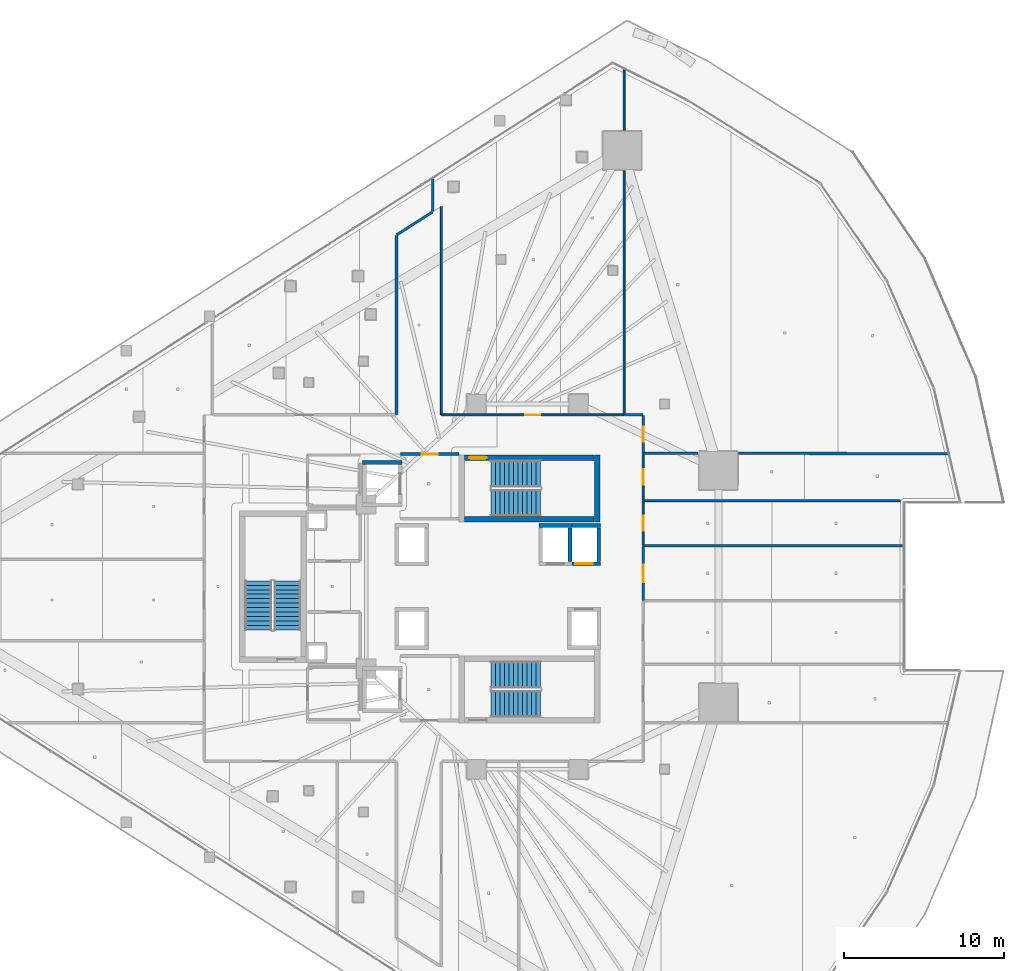
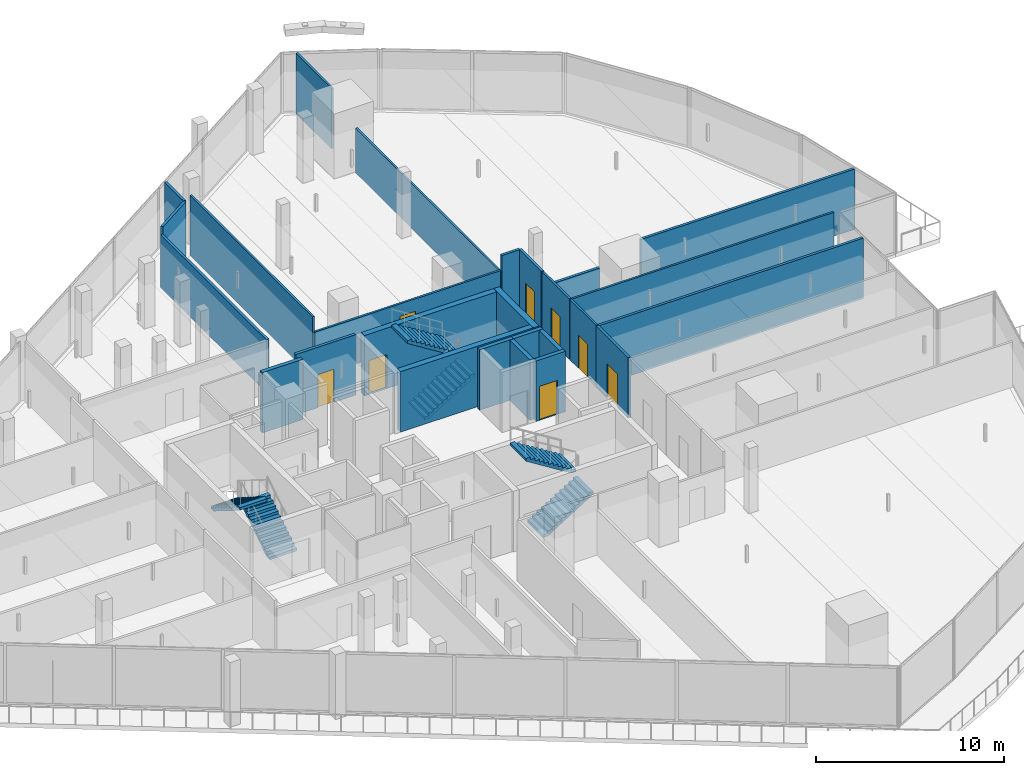
# One storey, part 30 of 44: 26 walls, 8 doors, 6 stair flights, 8 openings, 3 elements without a shape of their own.
"""IFC4 building model written with IfcOpenShell, lengths in metres."""

from ifc_helpers import new_model, si_unit, direction, frame, frame_2d, origin, place, context, subcontext, project, spatial, polyline, rectangle, outline, extrude, material, layer, layer_set, type_object, element, fill, aggregate, save


model = new_model("IFC4")

# Units and contexts
model_context = context("Model", 3, precision=1e-05, world=origin(), true_north=direction((0.0, 1.0)))
body_context = subcontext(model_context, "Body", "Model", "MODEL_VIEW")
ifc_project = project(units=[si_unit("LENGTHUNIT", "METRE"), si_unit("AREAUNIT", "SQUARE_METRE"), si_unit("VOLUMEUNIT", "CUBIC_METRE"), si_unit("PLANEANGLEUNIT", "RADIAN"), si_unit("MASSUNIT", "GRAM", prefix="KILO")], contexts=[model_context])

# Site, building, storey
site_placement = place(None, origin())
site = spatial("IfcSite", under=ifc_project, at=site_placement, CompositionType="ELEMENT")
building_placement = place(site_placement, origin())
building = spatial("IfcBuilding", under=site, at=building_placement, Name="Qorvath Tower", CompositionType="ELEMENT")
storey_placement = place(building_placement, frame((0.0, 0.0, 57.60009765625)))
storey = spatial("IfcBuildingStorey", under=building, at=storey_placement, Name="L12", CompositionType="ELEMENT", Elevation=57.60009765625)

# Wall, opening, door
ifc_material_1 = material(Name="Gypsum shaftliner on steel studs", Category="steel")
ifc_layer_1 = layer(ifc_material_1, 0.179931640625)
ifc_layer_set_1 = layer_set([ifc_layer_1], Name="FW-LOBBY")
wall_type_1 = type_object("IfcWallType", Name="FW-LOBBY", PredefinedType="PARTITIONING", material=ifc_layer_set_1)
wall_1_placement = place(storey_placement, frame((-24.68408203125, 8.300048828125, 0.0), z_axis=(0.0, 0.0, 1.0), x_axis=(-1.0, 0.0, 0.0)))
wall_1 = element("IfcWall", 1, at=wall_1_placement, inside=storey, type_object=wall_type_1, Name="Interior Partition IW-T1-L12-002", PredefinedType="PARTITIONING", context=body_context, shape_type="SweptSolid", body=[
    extrude(rectangle(XDim=3.6708984375, YDim=0.179931640625, at=frame_2d((1.83544921875, 0.0))), origin(), (0.0, 0.0, 1.0), 3.919921875),
])
opening_1_placement = place(wall_1_placement, frame((1.33544921875, 0.0, 0.0)))
opening_1 = element("IfcOpeningElement", 2, at=opening_1_placement, cuts=wall_1, Name="Opening D-T1-L12-19", PredefinedType="OPENING", context=body_context, shape_type="SweptSolid", body=[
    extrude(rectangle(XDim=1.0, YDim=2.14990234375, at=frame_2d((0.5, 1.074951171875))), frame((0.0, 0.10009765625, 0.0), z_axis=(0.0, -1.0, 0.0), x_axis=(1.0, 0.0, 0.0)), (0.0, 0.0, 1.0), 0.199951171875),
])
ifc_material_2 = material(Name="Painted galvanised hollow metal", Category="steel")
door_type_1 = type_object("IfcDoorType", Name="FD-60", OperationType="NOTDEFINED", PredefinedType="DOOR", material=ifc_material_2)
door_1_placement = place(opening_1_placement, origin())
door_1 = element("IfcDoor", 3, at=door_1_placement, inside=storey, type_object=door_type_1, Name="Lobby Fire Service Elevator North Door D-T1-L12-19", OperationType="SINGLE_SWING_LEFT", OverallHeight=2.14990234375, OverallWidth=1.0, PredefinedType="DOOR", context=body_context, shape_type="SweptSolid", body=[
    extrude(rectangle(XDim=1.0, YDim=2.14990234375, at=frame_2d((0.5, 1.074951171875))), frame((0.0, 0.02490234375, 0.0), z_axis=(0.0, -1.0, 0.0), x_axis=(1.0, 0.0, 0.0)), (0.0, 0.0, 1.0), 0.050048828125),
])
fill(opening_1, door_1)

# Walls
ifc_material_3 = material(Name="Double acoustic gypsum board on steel studs", Category="steel")
ifc_layer_2 = layer(ifc_material_3, 0.159912109375)
ifc_layer_set_2 = layer_set([ifc_layer_2], Name="IW-ACOUSTIC-160")
wall_type_2 = type_object("IfcWallType", Name="IW-ACOUSTIC-160", PredefinedType="PARTITIONING", material=ifc_layer_set_2)
wall_2_placement = place(storey_placement, frame((-28.60791015625, 10.783203125, 0.0), z_axis=(0.0, 0.0, 1.0), x_axis=(0.0, 1.0, 0.0)))
element("IfcWall", 4, at=wall_2_placement, inside=storey, type_object=wall_type_2, Name="Interior Partition IW-T1-L12-023", PredefinedType="PARTITIONING", context=body_context, shape_type="SweptSolid", body=[
    extrude(rectangle(XDim=11.23095703125, YDim=0.159912109375, at=frame_2d((5.615478515625, 0.0))), origin(), (0.0, 0.0, 1.0), 3.432861328125),
])
wall_3_placement = place(storey_placement, frame((-26.360595703125, 23.475341796875, 0.0), z_axis=(0.0, 0.0, 1.0), x_axis=(-0.842613569098, -0.538518684143, 0.0)))
element("IfcWall", 5, at=wall_3_placement, inside=storey, type_object=wall_type_2, Name="Interior Partition IW-T1-L12-024", PredefinedType="PARTITIONING", context=body_context, shape_type="SweptSolid", body=[
    extrude(rectangle(XDim=2.64208984375, YDim=0.159912109375, at=frame_2d((1.321044921875, 0.0))), origin(), (0.0, 0.0, 1.0), 3.919921875),
])
wall_4_placement = place(storey_placement, frame((-26.339599609375, 23.513916015625, 0.0), z_axis=(0.0, 0.0, 1.0), x_axis=(0.0, 1.0, 0.0)))
element("IfcWall", 6, at=wall_4_placement, inside=storey, type_object=wall_type_2, Name="Interior Partition IW-T1-L12-025", PredefinedType="PARTITIONING", context=body_context, shape_type="SweptSolid", body=[
    extrude(rectangle(XDim=2.021728515625, YDim=0.159912109375, at=frame_2d((1.0107421875, 0.0))), origin(), (0.0, 0.0, 1.0), 3.919921875),
])
wall_5_placement = place(storey_placement, frame((-14.305419921875, 10.758056640625, 0.0), z_axis=(0.0, 0.0, 1.0), x_axis=(1.0, 0.0, 0.0)))
element("IfcWall", 7, at=wall_5_placement, inside=storey, type_object=wall_type_2, Name="Interior Partition IW-T1-L12-030", PredefinedType="PARTITIONING", context=body_context, shape_type="SweptSolid", body=[
    extrude(rectangle(XDim=1.138427734375, YDim=0.159912109375, at=frame_2d((0.5693359375, 0.0))), origin(), (0.0, 0.0, 1.0), 3.919921875),
])

# Wall, opening, door
wall_6_placement = place(storey_placement, frame((-13.14208984375, 10.733154296875, 0.0), z_axis=(0.0, 0.0, 1.0), x_axis=(0.0, -1.0, 0.0)))
wall_6 = element("IfcWall", 8, at=wall_6_placement, inside=storey, type_object=wall_type_2, Name="Interior Partition IW-T1-L12-031", PredefinedType="PARTITIONING", context=body_context, shape_type="SweptSolid", body=[
    extrude(rectangle(XDim=2.358154296875, YDim=0.159912109375, at=frame_2d((1.17919921875, 0.0))), origin(), (0.0, 0.0, 1.0), 3.919921875),
])
opening_2_placement = place(wall_6_placement, frame((0.7041015625, 0.0, 0.0)))
opening_2 = element("IfcOpeningElement", 9, at=opening_2_placement, cuts=wall_6, Name="Opening D-T1-L12-07", PredefinedType="OPENING", context=body_context, shape_type="SweptSolid", body=[
    extrude(rectangle(XDim=0.949951171875, YDim=2.14990234375, at=frame_2d((0.47509765625, 1.074951171875))), frame((0.0, 0.08984375, 0.0), z_axis=(0.0, -1.0, 0.0), x_axis=(1.0, 0.0, 0.0)), (0.0, 0.0, 1.0), 0.179931640625),
])
ifc_material_4 = material(Name="Solid-core American white oak veneer", Category="wood")
door_type_2 = type_object("IfcDoorType", Name="D-01", OperationType="NOTDEFINED", PredefinedType="DOOR", material=ifc_material_4)
door_2_placement = place(opening_2_placement, origin())
door_2 = element("IfcDoor", 10, at=door_2_placement, inside=storey, type_object=door_type_2, Name="L12-04 Staff Wellness Studio Door D-T1-L12-07", OperationType="SINGLE_SWING_LEFT", OverallHeight=2.14990234375, OverallWidth=0.949951171875, PredefinedType="DOOR", context=body_context, shape_type="SweptSolid", body=[
    extrude(rectangle(XDim=0.949951171875, YDim=2.14990234375, at=frame_2d((0.47509765625, 1.074951171875))), frame((0.0, 0.02490234375, 0.0), z_axis=(0.0, -1.0, 0.0), x_axis=(1.0, 0.0, 0.0)), (0.0, 0.0, 1.0), 0.050048828125),
])
fill(opening_2, door_2)

# Walls
wall_7_placement = place(storey_placement, frame((-13.1171875, 8.35009765625, 0.0), z_axis=(0.0, 0.0, 1.0), x_axis=(1.0, 0.0, 0.0)))
element("IfcWall", 11, at=wall_7_placement, inside=storey, type_object=wall_type_2, Name="Interior Partition IW-T1-L12-032", PredefinedType="PARTITIONING", context=body_context, shape_type="SweptSolid", body=[
    extrude(rectangle(XDim=3.421875, YDim=0.159912109375, at=frame_2d((1.7109375, 0.0))), origin(), (0.0, 0.0, 1.0), 2.956787109375),
])
wall_8_placement = place(storey_placement, frame((-7.165283203125, 8.35009765625, 0.0), z_axis=(0.0, 0.0, 1.0), x_axis=(0.999999076287, -0.001359200353, 0.0)))
element("IfcWall", 12, at=wall_8_placement, inside=storey, type_object=wall_type_2, Name="Interior Partition IW-T1-L12-033", PredefinedType="PARTITIONING", context=body_context, shape_type="SweptSolid", body=[
    extrude(rectangle(XDim=13.1123046875, YDim=0.159912109375, at=frame_2d((6.55615234375, 0.0))), origin(), (0.0, 0.0, 1.0), 3.919921875),
])

# Wall, opening, door
wall_9_placement = place(storey_placement, frame((-13.14208984375, 2.532470703125, 0.0), z_axis=(0.0, 0.0, 1.0), x_axis=(0.0, -1.0, 0.0)))
wall_9 = element("IfcWall", 13, at=wall_9_placement, inside=storey, type_object=wall_type_2, Name="Interior Partition IW-T1-L12-053", PredefinedType="PARTITIONING", context=body_context, shape_type="SweptSolid", body=[
    extrude(rectangle(XDim=3.399658203125, YDim=0.159912109375, at=frame_2d((1.69970703125, 0.0))), origin(), (0.0, 0.0, 1.0), 3.919921875),
])
opening_3_placement = place(wall_9_placement, frame((1.14990234375, 0.0, 0.0)))
opening_3 = element("IfcOpeningElement", 14, at=opening_3_placement, cuts=wall_9, Name="Opening D-T1-L12-13", PredefinedType="OPENING", context=body_context, shape_type="SweptSolid", body=[
    extrude(rectangle(XDim=1.10009765625, YDim=2.14990234375, at=frame_2d((0.550048828125, 1.074951171875))), frame((0.0, 0.08984375, 0.0), z_axis=(0.0, -1.0, 0.0), x_axis=(1.0, 0.0, 0.0)), (0.0, 0.0, 1.0), 0.179931640625),
])
ifc_material_5 = material(Name="Anodised aluminium acoustic framed glass", Category="aluminium")
door_type_3 = type_object("IfcDoorType", Name="D-03", OperationType="NOTDEFINED", PredefinedType="DOOR", material=ifc_material_5)
door_3_placement = place(opening_3_placement, origin())
door_3 = element("IfcDoor", 15, at=door_3_placement, inside=storey, type_object=door_type_3, Name="L12-10 Enclosed Conference Suite Door D-T1-L12-13", OperationType="SINGLE_SWING_LEFT", OverallHeight=2.14990234375, OverallWidth=1.10009765625, PredefinedType="DOOR", context=body_context, shape_type="SweptSolid", body=[
    extrude(rectangle(XDim=1.10009765625, YDim=2.14990234375, at=frame_2d((0.550048828125, 1.074951171875))), frame((0.0, 0.02490234375, 0.0), z_axis=(0.0, -1.0, 0.0), x_axis=(1.0, 0.0, 0.0)), (0.0, 0.0, 1.0), 0.050048828125),
])
fill(opening_3, door_3)

# Walls
wall_10_placement = place(storey_placement, frame((3.139404296875, 2.557373046875, 0.0), z_axis=(0.0, 0.0, 1.0), x_axis=(-1.0, 0.0, 0.0)))
element("IfcWall", 16, at=wall_10_placement, inside=storey, type_object=wall_type_2, Name="Interior Partition IW-T1-L12-054", PredefinedType="PARTITIONING", context=body_context, shape_type="SweptSolid", body=[
    extrude(rectangle(XDim=16.256591796875, YDim=0.159912109375, at=frame_2d((8.12841796875, 0.0))), origin(), (0.0, 0.0, 1.0), 3.919921875),
])
ifc_material_6 = material(Name="Gypsum board on metal studs with mineral wool", Category="gypsum")
ifc_layer_3 = layer(ifc_material_6, 0.125)
ifc_layer_set_3 = layer_set([ifc_layer_3], Name="IW-PART-125")
wall_type_3 = type_object("IfcWallType", Name="IW-PART-125", PredefinedType="PARTITIONING", material=ifc_layer_set_3)
wall_11_placement = place(storey_placement, frame((-25.7919921875, 23.81396484375, 0.0), z_axis=(0.0, 0.0, 1.0), x_axis=(0.0, -1.0, 0.0)))
element("IfcWall", 17, at=wall_11_placement, inside=storey, type_object=wall_type_3, Name="Interior Partition IW-T1-L12-026", PredefinedType="PARTITIONING", context=body_context, shape_type="SweptSolid", body=[
    extrude(rectangle(XDim=13.03076171875, YDim=0.125, at=frame_2d((6.515380859375, 0.0))), origin(), (0.0, 0.0, 1.0), 3.919921875),
])

# Wall, opening, door
wall_12_placement = place(storey_placement, frame((-25.76708984375, 10.758056640625, 0.0), z_axis=(0.0, 0.0, 1.0), x_axis=(1.0, 0.0, 0.0)))
wall_12 = element("IfcWall", 18, at=wall_12_placement, inside=storey, type_object=wall_type_3, Name="Interior Partition IW-T1-L12-027", PredefinedType="PARTITIONING", context=body_context, shape_type="SweptSolid", body=[
    extrude(rectangle(XDim=11.404052734375, YDim=0.125, at=frame_2d((5.7021484375, 0.0))), origin(), (0.0, 0.0, 1.0), 2.956787109375),
])
opening_4_placement = place(wall_12_placement, frame((5.22705078125, 0.0, 0.0)))
opening_4 = element("IfcOpeningElement", 19, at=opening_4_placement, cuts=wall_12, Name="Opening D-T1-L12-06", PredefinedType="OPENING", context=body_context, shape_type="SweptSolid", body=[
    extrude(rectangle(XDim=0.949951171875, YDim=2.14990234375, at=frame_2d((0.47509765625, 1.074951171875))), frame((0.0, 0.072509765625, 0.0), z_axis=(0.0, -1.0, 0.0), x_axis=(1.0, 0.0, 0.0)), (0.0, 0.0, 1.0), 0.14501953125),
])
door_4_placement = place(opening_4_placement, origin())
door_4 = element("IfcDoor", 20, at=door_4_placement, inside=storey, type_object=door_type_2, Name="L12-03 Project Collaboration Workspace Door D-T1-L12-06", OperationType="SINGLE_SWING_RIGHT", OverallHeight=2.14990234375, OverallWidth=0.949951171875, PredefinedType="DOOR", context=body_context, shape_type="SweptSolid", body=[
    extrude(rectangle(XDim=0.949951171875, YDim=2.14990234375, at=frame_2d((0.47509765625, 1.074951171875))), frame((0.0, 0.02490234375, 0.0), z_axis=(0.0, -1.0, 0.0), x_axis=(1.0, 0.0, 0.0)), (0.0, 0.0, 1.0), 0.050048828125),
])
fill(opening_4, door_4)

# Walls
wall_13_placement = place(storey_placement, frame((-14.338134765625, 10.783203125, 0.0), z_axis=(0.0, 0.0, 1.0), x_axis=(0.0, 1.0, 0.0)))
element("IfcWall", 21, at=wall_13_placement, inside=storey, type_object=wall_type_3, Name="Interior Partition IW-T1-L12-028", PredefinedType="PARTITIONING", context=body_context, shape_type="SweptSolid", body=[
    extrude(rectangle(XDim=15.282470703125, YDim=0.125, at=frame_2d((7.64111328125, 0.0))), origin(), (0.0, 0.0, 1.0), 2.889892578125),
])
wall_14_placement = place(storey_placement, frame((-14.338134765625, 28.595703125, 0.0), z_axis=(0.0, 0.0, 1.0), x_axis=(0.0, 1.0, 0.0)))
element("IfcWall", 22, at=wall_14_placement, inside=storey, type_object=wall_type_3, Name="Interior Partition IW-T1-L12-029", PredefinedType="PARTITIONING", context=body_context, shape_type="SweptSolid", body=[
    extrude(rectangle(XDim=3.790283203125, YDim=0.125, at=frame_2d((1.89501953125, 0.0))), origin(), (0.0, 0.0, 1.0), 3.919921875),
])

# Wall, opening, door
wall_15_placement = place(storey_placement, frame((-13.14208984375, 5.36279296875, 0.0), z_axis=(0.0, 0.0, 1.0), x_axis=(0.0, -1.0, 0.0)))
wall_15 = element("IfcWall", 23, at=wall_15_placement, inside=storey, type_object=wall_type_3, Name="Interior Partition IW-T1-L12-055", PredefinedType="PARTITIONING", context=body_context, shape_type="SweptSolid", body=[
    extrude(rectangle(XDim=2.7724609375, YDim=0.125, at=frame_2d((1.38623046875, 0.0))), origin(), (0.0, 0.0, 1.0), 3.919921875),
])
opening_5_placement = place(wall_15_placement, frame((0.9111328125, 0.0, 0.0)))
opening_5 = element("IfcOpeningElement", 24, at=opening_5_placement, cuts=wall_15, Name="Opening D-T1-L12-14", PredefinedType="OPENING", context=body_context, shape_type="SweptSolid", body=[
    extrude(rectangle(XDim=0.949951171875, YDim=2.14990234375, at=frame_2d((0.47509765625, 1.074951171875))), frame((0.0, 0.072509765625, 0.0), z_axis=(0.0, -1.0, 0.0), x_axis=(1.0, 0.0, 0.0)), (0.0, 0.0, 1.0), 0.14501953125),
])
door_5_placement = place(opening_5_placement, origin())
door_5 = element("IfcDoor", 25, at=door_5_placement, inside=storey, type_object=door_type_2, Name="L12-11 Focus Collaboration Pod Door D-T1-L12-14", OperationType="SINGLE_SWING_RIGHT", OverallHeight=2.14990234375, OverallWidth=0.949951171875, PredefinedType="DOOR", context=body_context, shape_type="SweptSolid", body=[
    extrude(rectangle(XDim=0.949951171875, YDim=2.14990234375, at=frame_2d((0.47509765625, 1.074951171875))), frame((0.0, 0.02490234375, 0.0), z_axis=(0.0, -1.0, 0.0), x_axis=(1.0, 0.0, 0.0)), (0.0, 0.0, 1.0), 0.050048828125),
])
fill(opening_5, door_5)

# Wall
wall_16_placement = place(storey_placement, frame((2.973388671875, 5.3876953125, 0.0), z_axis=(0.0, 0.0, 1.0), x_axis=(-1.0, 0.0, 0.0)))
element("IfcWall", 26, at=wall_16_placement, inside=storey, type_object=wall_type_3, Name="Interior Partition IW-T1-L12-056", PredefinedType="PARTITIONING", context=body_context, shape_type="SweptSolid", body=[
    extrude(rectangle(XDim=16.090576171875, YDim=0.125, at=frame_2d((8.04541015625, 0.0))), origin(), (0.0, 0.0, 1.0), 3.919921875),
])

# Wall, opening, door
wall_17_placement = place(storey_placement, frame((-13.14208984375, 8.31689453125, 0.0), z_axis=(0.0, 0.0, 1.0), x_axis=(0.0, -1.0, 0.0)))
wall_17 = element("IfcWall", 27, at=wall_17_placement, inside=storey, type_object=wall_type_3, Name="Interior Partition IW-T1-L12-057", PredefinedType="PARTITIONING", context=body_context, shape_type="SweptSolid", body=[
    extrude(rectangle(XDim=2.89599609375, YDim=0.125, at=frame_2d((1.447998046875, 0.0))), origin(), (0.0, 0.0, 1.0), 3.919921875),
])
opening_6_placement = place(wall_17_placement, frame((0.972900390625, 0.0, 0.0)))
opening_6 = element("IfcOpeningElement", 28, at=opening_6_placement, cuts=wall_17, Name="Opening D-T1-L12-15", PredefinedType="OPENING", context=body_context, shape_type="SweptSolid", body=[
    extrude(rectangle(XDim=0.949951171875, YDim=2.14990234375, at=frame_2d((0.47509765625, 1.074951171875))), frame((0.0, 0.072509765625, 0.0), z_axis=(0.0, -1.0, 0.0), x_axis=(1.0, 0.0, 0.0)), (0.0, 0.0, 1.0), 0.14501953125),
])
door_6_placement = place(opening_6_placement, origin())
door_6 = element("IfcDoor", 29, at=door_6_placement, inside=storey, type_object=door_type_2, Name="L12-12 Staff Refreshment Pantry and Coffee Bar Door D-T1-L12-15", OperationType="SINGLE_SWING_LEFT", OverallHeight=2.14990234375, OverallWidth=0.949951171875, PredefinedType="DOOR", context=body_context, shape_type="SweptSolid", body=[
    extrude(rectangle(XDim=0.949951171875, YDim=2.14990234375, at=frame_2d((0.47509765625, 1.074951171875))), frame((0.0, 0.02490234375, 0.0), z_axis=(0.0, -1.0, 0.0), x_axis=(1.0, 0.0, 0.0)), (0.0, 0.0, 1.0), 0.050048828125),
])
fill(opening_6, door_6)

# Walls
ifc_material_7 = material(Name="Concrete C60/75", Category="concrete")
ifc_layer_4 = layer(ifc_material_7, 0.260009765625)
ifc_layer_set_4 = layer_set([ifc_layer_4], Name="SW-SHAFT")
wall_type_4 = type_object("IfcWallType", Name="SW-SHAFT", PredefinedType="SHEAR", material=ifc_layer_set_4)
wall_18_placement = place(storey_placement, frame((-30.739990234375, 7.77001953125, 0.0), z_axis=(0.0, 0.0, 1.0), x_axis=(1.0, 0.0, 0.0)))
element("IfcWall", 30, at=wall_18_placement, inside=storey, type_object=wall_type_4, Name="Hoistway Wall FSAE-1 L12 N", PredefinedType="SHEAR", context=body_context, shape_type="SweptSolid", body=[
    extrude(rectangle(XDim=2.47998046875, YDim=0.239990234375, at=frame_2d((1.239990234375, 0.0))), origin(), (0.0, 0.0, 1.0), 3.919921875),
])
wall_19_placement = place(storey_placement, frame((-19.68994140625, 3.820068359375, 0.0), z_axis=(0.0, 0.0, 1.0), x_axis=(1.0, 0.0, 0.0)))
element("IfcWall", 31, at=wall_19_placement, inside=storey, type_object=wall_type_4, Name="Hoistway Wall PL-1 L12 N", PredefinedType="SHEAR", context=body_context, shape_type="SweptSolid", body=[
    extrude(rectangle(XDim=2.079833984375, YDim=0.239990234375, at=frame_2d((1.0400390625, 0.0))), origin(), (0.0, 0.0, 1.0), 3.919921875),
])
wall_20_placement = place(storey_placement, frame((-17.72998046875, 3.68798828125, 0.0), z_axis=(0.0, 0.0, 1.0), x_axis=(0.0, -1.0, 0.0)))
element("IfcWall", 32, at=wall_20_placement, inside=storey, type_object=wall_type_4, Name="Hoistway Wall PL-1 L12 E", PredefinedType="SHEAR", context=body_context, shape_type="SweptSolid", body=[
    extrude(rectangle(XDim=2.1259765625, YDim=0.239990234375, at=frame_2d((1.06298828125, 0.0))), origin(), (0.0, 0.0, 1.0), 3.919921875),
])

# Wall, opening, door
wall_21_placement = place(storey_placement, frame((-15.81005859375, 1.429931640625, 0.0), z_axis=(0.0, 0.0, 1.0), x_axis=(-1.0, 0.0, 0.0)))
wall_21 = element("IfcWall", 33, at=wall_21_placement, inside=storey, type_object=wall_type_4, Name="Hoistway Wall PL-3 L12 S", PredefinedType="SHEAR", context=body_context, shape_type="SweptSolid", body=[
    extrude(rectangle(XDim=1.800048828125, YDim=0.239990234375, at=frame_2d((0.89990234375, 0.0))), origin(), (0.0, 0.0, 1.0), 3.919921875),
])
opening_7_placement = place(wall_21_placement, frame((0.489990234375, 0.0, 0.0)))
opening_7 = element("IfcOpeningElement", 34, at=opening_7_placement, cuts=wall_21, Name="Opening LD-PL-3-L12", PredefinedType="OPENING", context=body_context, shape_type="SweptSolid", body=[
    extrude(rectangle(XDim=1.10009765625, YDim=2.199951171875, at=frame_2d((0.550048828125, 1.10009765625))), frame((0.0, 0.1298828125, 0.0), z_axis=(0.0, -1.0, 0.0), x_axis=(1.0, 0.0, 0.0)), (0.0, 0.0, 1.0), 0.260009765625),
])
ifc_material_8 = material(Name="Brushed stainless steel AISI 316", Category="steel")
door_type_4 = type_object("IfcDoorType", Name="LD-01", OperationType="NOTDEFINED", PredefinedType="DOOR", material=ifc_material_8)
door_7_placement = place(opening_7_placement, origin())
door_7 = element("IfcDoor", 35, at=door_7_placement, inside=storey, type_object=door_type_4, Name="Elevator Landing Sliding Door LD-PL-3-L12", OperationType="DOUBLE_DOOR_SLIDING", OverallHeight=2.199951171875, OverallWidth=1.10009765625, PredefinedType="DOOR", context=body_context, shape_type="SweptSolid", body=[
    extrude(rectangle(XDim=1.10009765625, YDim=2.199951171875, at=frame_2d((0.550048828125, 1.10009765625))), frame((0.0, 0.02490234375, 0.0), z_axis=(0.0, -1.0, 0.0), x_axis=(1.0, 0.0, 0.0)), (0.0, 0.0, 1.0), 0.050048828125),
])
fill(opening_7, door_7)

# Walls
wall_22_placement = place(storey_placement, frame((-17.610107421875, 3.820068359375, 0.0), z_axis=(0.0, 0.0, 1.0), x_axis=(1.0, 0.0, 0.0)))
element("IfcWall", 36, at=wall_22_placement, inside=storey, type_object=wall_type_4, Name="Hoistway Wall PL-3 L12 N", PredefinedType="SHEAR", context=body_context, shape_type="SweptSolid", body=[
    extrude(rectangle(XDim=1.800048828125, YDim=0.239990234375, at=frame_2d((0.89990234375, 0.0))), origin(), (0.0, 0.0, 1.0), 3.919921875),
])
wall_23_placement = place(storey_placement, frame((-15.929931640625, 3.68798828125, 0.0), z_axis=(0.0, 0.0, 1.0), x_axis=(0.0, -1.0, 0.0)))
element("IfcWall", 37, at=wall_23_placement, inside=storey, type_object=wall_type_4, Name="Hoistway Wall PL-3 L12 E", PredefinedType="SHEAR", context=body_context, shape_type="SweptSolid", body=[
    extrude(rectangle(XDim=2.1259765625, YDim=0.239990234375, at=frame_2d((1.06298828125, 0.0))), origin(), (0.0, 0.0, 1.0), 3.919921875),
])
ifc_material_9 = material(Name="Concrete C60/75", Category="concrete")
ifc_layer_5 = layer(ifc_material_9, 0.35009765625)
ifc_layer_set_5 = layer_set([ifc_layer_5], Name="SW-STAIR")
wall_type_5 = type_object("IfcWallType", Name="SW-STAIR", PredefinedType="SHEAR", material=ifc_layer_set_5)
wall_24_placement = place(storey_placement, frame((-16.02490234375, 4.050048828125, 0.0), z_axis=(0.0, 0.0, 1.0), x_axis=(0.0, 1.0, 0.0)))
element("IfcWall", 38, at=wall_24_placement, inside=storey, type_object=wall_type_5, Name="Stair TS1 Shear Wall L12 FAR", PredefinedType="SHEAR", context=body_context, shape_type="SweptSolid", body=[
    extrude(rectangle(XDim=4.2099609375, YDim=0.35009765625, at=frame_2d((2.10498046875, 0.0))), origin(), (0.0, 0.0, 1.0), 3.919921875),
])
wall_25_placement = place(storey_placement, frame((-24.3349609375, 4.22509765625, 0.0), z_axis=(0.0, 0.0, 1.0), x_axis=(1.0, 0.0, 0.0)))
element("IfcWall", 39, at=wall_25_placement, inside=storey, type_object=wall_type_5, Name="Stair TS1 Shear Wall L12 LEFT", PredefinedType="SHEAR", context=body_context, shape_type="SweptSolid", body=[
    extrude(rectangle(XDim=8.119873046875, YDim=0.35009765625, at=frame_2d((4.06005859375, 0.0))), origin(), (0.0, 0.0, 1.0), 3.919921875),
])

# Wall, opening, door
wall_26_placement = place(storey_placement, frame((-16.215087890625, 8.0849609375, 0.0), z_axis=(0.0, 0.0, 1.0), x_axis=(-1.0, 0.0, 0.0)))
wall_26 = element("IfcWall", 40, at=wall_26_placement, inside=storey, type_object=wall_type_5, Name="Stair TS1 Shear Wall L12 RIGHT", PredefinedType="SHEAR", context=body_context, shape_type="SweptSolid", body=[
    extrude(rectangle(XDim=8.119873046875, YDim=0.35009765625, at=frame_2d((4.06005859375, 0.0))), origin(), (0.0, 0.0, 1.0), 3.919921875),
])
opening_8_placement = place(wall_26_placement, frame((6.739990234375, 0.0, 0.0)))
opening_8 = element("IfcOpeningElement", 41, at=opening_8_placement, cuts=wall_26, Name="Opening D-TS1-L12", PredefinedType="OPENING", context=body_context, shape_type="SweptSolid", body=[
    extrude(rectangle(XDim=1.10009765625, YDim=2.199951171875, at=frame_2d((0.550048828125, 1.10009765625))), frame((0.0, 0.18505859375, 0.0), z_axis=(0.0, -1.0, 0.0), x_axis=(1.0, 0.0, 0.0)), (0.0, 0.0, 1.0), 0.3701171875),
])
ifc_material_10 = material(Name="Painted galvanised hollow metal", Category="steel")
door_type_5 = type_object("IfcDoorType", Name="FD-90", OperationType="NOTDEFINED", PredefinedType="DOOR", material=ifc_material_10)
door_8_placement = place(opening_8_placement, origin())
door_8 = element("IfcDoor", 42, at=door_8_placement, inside=storey, type_object=door_type_5, Name="Stair TS1 Fire Door L12", OperationType="SINGLE_SWING_LEFT", OverallHeight=2.199951171875, OverallWidth=1.10009765625, PredefinedType="DOOR", context=body_context, shape_type="SweptSolid", body=[
    extrude(rectangle(XDim=1.10009765625, YDim=2.199951171875, at=frame_2d((0.550048828125, 1.10009765625))), frame((0.0, 0.02490234375, 0.0), z_axis=(0.0, -1.0, 0.0), x_axis=(1.0, 0.0, 0.0)), (0.0, 0.0, 1.0), 0.050048828125),
])
fill(opening_8, door_8)

# Stair, stair flights
ifc_material_11 = material(Name="Concrete C50/60", Category="concrete")
stair_type = type_object("IfcStairType", Name="ST-H420", PredefinedType="HALF_TURN_STAIR", material=ifc_material_11)
stair_1_placement = place(storey_placement, origin())
stair_1 = element("IfcStair", 43, at=stair_1_placement, inside=storey, type_object=stair_type, Name="L12 Tower Exit Stair 1", PredefinedType="HALF_TURN_STAIR")
ifc_material_12 = material(Name="Concrete C50/60", Category="concrete")
ifc_layer_6 = layer(ifc_material_12, 0.14990234375)
ifc_layer_set_6 = layer_set([ifc_layer_6], Name="SF-H420")
stair_flight_type = type_object("IfcStairFlightType", Name="SF-H420", PredefinedType="STRAIGHT", material=ifc_layer_set_6)
stair_flight_1_placement = place(storey_placement, frame((-22.669921875, 5.239990234375, 0.0), z_axis=(0.0, 0.0, 1.0), x_axis=(1.0, 0.0, 0.0)))
stair_flight_1 = element("IfcStairFlight", 44, at=stair_flight_1_placement, type_object=stair_flight_type, Name="TS1 flight 1", NumberOfRisers=12, NumberOfTreads=11, PredefinedType="STRAIGHT", RiserHeight=0.175, TreadLength=0.28, context=body_context, shape_type="SweptSolid", body=[
    extrude(outline(polyline([(0.0, 0.0), (0.0, 0.175048828125), (0.280029296875, 0.175048828125), (0.280029296875, 0.35009765625), (0.56005859375, 0.35009765625), (0.56005859375, 0.52490234375), (0.840087890625, 0.52490234375), (0.840087890625, 0.699951171875), (1.1201171875, 0.699951171875), (1.1201171875, 0.875), (1.39990234375, 0.875), (1.39990234375, 1.050048828125), (1.679931640625, 1.050048828125), (1.679931640625, 1.22509765625), (1.9599609375, 1.22509765625), (1.9599609375, 1.39990234375), (2.239990234375, 1.39990234375), (2.239990234375, 1.574951171875), (2.52001953125, 1.574951171875), (2.52001953125, 1.75), (2.800048828125, 1.75), (2.800048828125, 1.925048828125), (3.080078125, 1.925048828125), (3.080078125, 2.10009765625), (3.080078125, 1.748291015625), (0.28271484375, 0.0), (0.0, 0.0)])), frame((0.0, 0.83984375, 0.0), z_axis=(0.0, -1.0, 0.0), x_axis=(1.0, 0.0, 0.0)), (0.0, 0.0, 1.0), 1.679931640625),
])
stair_flight_2_placement = place(storey_placement, frame((-19.590087890625, 7.070068359375, 2.099853515625), z_axis=(0.0, 0.0, 1.0), x_axis=(-1.0, 0.0, 0.0)))
stair_flight_2 = element("IfcStairFlight", 45, at=stair_flight_2_placement, type_object=stair_flight_type, Name="TS1 flight 2", NumberOfRisers=12, NumberOfTreads=11, PredefinedType="STRAIGHT", RiserHeight=0.175, TreadLength=0.28, context=body_context, shape_type="SweptSolid", body=[
    extrude(outline(polyline([(0.0, 0.0), (0.0, 0.175048828125), (0.280029296875, 0.175048828125), (0.280029296875, 0.35009765625), (0.56005859375, 0.35009765625), (0.56005859375, 0.52490234375), (0.840087890625, 0.52490234375), (0.840087890625, 0.699951171875), (1.1201171875, 0.699951171875), (1.1201171875, 0.875), (1.39990234375, 0.875), (1.39990234375, 1.050048828125), (1.679931640625, 1.050048828125), (1.679931640625, 1.22509765625), (1.9599609375, 1.22509765625), (1.9599609375, 1.39990234375), (2.239990234375, 1.39990234375), (2.239990234375, 1.574951171875), (2.52001953125, 1.574951171875), (2.52001953125, 1.75), (2.800048828125, 1.75), (2.800048828125, 1.925048828125), (3.080078125, 1.925048828125), (3.080078125, 2.10009765625), (3.080078125, 1.748291015625), (0.28271484375, 0.0), (0.0, 0.0)])), frame((0.0, 0.83984375, 0.0), z_axis=(0.0, -1.0, 0.0), x_axis=(1.0, 0.0, 0.0)), (0.0, 0.0, 1.0), 1.679931640625),
])
aggregate(stair_1, [stair_flight_1, stair_flight_2])

stair_2_placement = place(storey_placement, origin())
stair_2 = element("IfcStair", 46, at=stair_2_placement, inside=storey, type_object=stair_type, Name="L12 Tower Exit Stair 2", PredefinedType="HALF_TURN_STAIR")
stair_flight_3_placement = place(storey_placement, frame((-22.669921875, -7.360107421875, 0.0), z_axis=(0.0, 0.0, 1.0), x_axis=(1.0, 0.0, 0.0)))
stair_flight_3 = element("IfcStairFlight", 47, at=stair_flight_3_placement, type_object=stair_flight_type, Name="TS2 flight 1", NumberOfRisers=12, NumberOfTreads=11, PredefinedType="STRAIGHT", RiserHeight=0.175, TreadLength=0.28, context=body_context, shape_type="SweptSolid", body=[
    extrude(outline(polyline([(0.0, 0.0), (0.0, 0.175048828125), (0.280029296875, 0.175048828125), (0.280029296875, 0.35009765625), (0.56005859375, 0.35009765625), (0.56005859375, 0.52490234375), (0.840087890625, 0.52490234375), (0.840087890625, 0.699951171875), (1.1201171875, 0.699951171875), (1.1201171875, 0.875), (1.39990234375, 0.875), (1.39990234375, 1.050048828125), (1.679931640625, 1.050048828125), (1.679931640625, 1.22509765625), (1.9599609375, 1.22509765625), (1.9599609375, 1.39990234375), (2.239990234375, 1.39990234375), (2.239990234375, 1.574951171875), (2.52001953125, 1.574951171875), (2.52001953125, 1.75), (2.800048828125, 1.75), (2.800048828125, 1.925048828125), (3.080078125, 1.925048828125), (3.080078125, 2.10009765625), (3.080078125, 1.748291015625), (0.28271484375, 0.0), (0.0, 0.0)])), frame((0.0, 0.83984375, 0.0), z_axis=(0.0, -1.0, 0.0), x_axis=(1.0, 0.0, 0.0)), (0.0, 0.0, 1.0), 1.679931640625),
])
stair_flight_4_placement = place(storey_placement, frame((-19.590087890625, -5.530029296875, 2.099853515625), z_axis=(0.0, 0.0, 1.0), x_axis=(-1.0, 0.0, 0.0)))
stair_flight_4 = element("IfcStairFlight", 48, at=stair_flight_4_placement, type_object=stair_flight_type, Name="TS2 flight 2", NumberOfRisers=12, NumberOfTreads=11, PredefinedType="STRAIGHT", RiserHeight=0.175, TreadLength=0.28, context=body_context, shape_type="SweptSolid", body=[
    extrude(outline(polyline([(0.0, 0.0), (0.0, 0.175048828125), (0.280029296875, 0.175048828125), (0.280029296875, 0.35009765625), (0.56005859375, 0.35009765625), (0.56005859375, 0.52490234375), (0.840087890625, 0.52490234375), (0.840087890625, 0.699951171875), (1.1201171875, 0.699951171875), (1.1201171875, 0.875), (1.39990234375, 0.875), (1.39990234375, 1.050048828125), (1.679931640625, 1.050048828125), (1.679931640625, 1.22509765625), (1.9599609375, 1.22509765625), (1.9599609375, 1.39990234375), (2.239990234375, 1.39990234375), (2.239990234375, 1.574951171875), (2.52001953125, 1.574951171875), (2.52001953125, 1.75), (2.800048828125, 1.75), (2.800048828125, 1.925048828125), (3.080078125, 1.925048828125), (3.080078125, 2.10009765625), (3.080078125, 1.748291015625), (0.28271484375, 0.0), (0.0, 0.0)])), frame((0.0, 0.83984375, 0.0), z_axis=(0.0, -1.0, 0.0), x_axis=(1.0, 0.0, 0.0)), (0.0, 0.0, 1.0), 1.679931640625),
])
aggregate(stair_2, [stair_flight_3, stair_flight_4])

stair_3_placement = place(storey_placement, origin())
stair_3 = element("IfcStair", 49, at=stair_3_placement, inside=storey, type_object=stair_type, Name="L12 Tower Exit Stair 3", PredefinedType="HALF_TURN_STAIR")
stair_flight_5_placement = place(storey_placement, frame((-35.43994140625, -2.719970703125, 0.0), z_axis=(0.0, 0.0, 1.0), x_axis=(0.0, 1.0, 0.0)))
stair_flight_5 = element("IfcStairFlight", 50, at=stair_flight_5_placement, type_object=stair_flight_type, Name="TS3 flight 1", NumberOfRisers=12, NumberOfTreads=11, PredefinedType="STRAIGHT", RiserHeight=0.175, TreadLength=0.28, context=body_context, shape_type="SweptSolid", body=[
    extrude(outline(polyline([(0.0, 0.0), (0.0, 0.175048828125), (0.280029296875, 0.175048828125), (0.280029296875, 0.35009765625), (0.56005859375, 0.35009765625), (0.56005859375, 0.52490234375), (0.840087890625, 0.52490234375), (0.840087890625, 0.699951171875), (1.1201171875, 0.699951171875), (1.1201171875, 0.875), (1.39990234375, 0.875), (1.39990234375, 1.050048828125), (1.679931640625, 1.050048828125), (1.679931640625, 1.22509765625), (1.9599609375, 1.22509765625), (1.9599609375, 1.39990234375), (2.239990234375, 1.39990234375), (2.239990234375, 1.574951171875), (2.52001953125, 1.574951171875), (2.52001953125, 1.75), (2.800048828125, 1.75), (2.800048828125, 1.925048828125), (3.080078125, 1.925048828125), (3.080078125, 2.10009765625), (3.080078125, 1.748291015625), (0.28271484375, 0.0), (0.0, 0.0)])), frame((0.0, 0.83984375, 0.0), z_axis=(0.0, -1.0, 0.0), x_axis=(1.0, 0.0, 0.0)), (0.0, 0.0, 1.0), 1.679931640625),
])
stair_flight_6_placement = place(storey_placement, frame((-37.27001953125, 0.360107421875, 2.099853515625), z_axis=(0.0, 0.0, 1.0), x_axis=(0.0, -1.0, 0.0)))
stair_flight_6 = element("IfcStairFlight", 51, at=stair_flight_6_placement, type_object=stair_flight_type, Name="TS3 flight 2", NumberOfRisers=12, NumberOfTreads=11, PredefinedType="STRAIGHT", RiserHeight=0.175, TreadLength=0.28, context=body_context, shape_type="SweptSolid", body=[
    extrude(outline(polyline([(0.0, 0.0), (0.0, 0.175048828125), (0.280029296875, 0.175048828125), (0.280029296875, 0.35009765625), (0.56005859375, 0.35009765625), (0.56005859375, 0.52490234375), (0.840087890625, 0.52490234375), (0.840087890625, 0.699951171875), (1.1201171875, 0.699951171875), (1.1201171875, 0.875), (1.39990234375, 0.875), (1.39990234375, 1.050048828125), (1.679931640625, 1.050048828125), (1.679931640625, 1.22509765625), (1.9599609375, 1.22509765625), (1.9599609375, 1.39990234375), (2.239990234375, 1.39990234375), (2.239990234375, 1.574951171875), (2.52001953125, 1.574951171875), (2.52001953125, 1.75), (2.800048828125, 1.75), (2.800048828125, 1.925048828125), (3.080078125, 1.925048828125), (3.080078125, 2.10009765625), (3.080078125, 1.748291015625), (0.28271484375, 0.0), (0.0, 0.0)])), frame((0.0, 0.83984375, 0.0), z_axis=(0.0, -1.0, 0.0), x_axis=(1.0, 0.0, 0.0)), (0.0, 0.0, 1.0), 1.679931640625),
])
aggregate(stair_3, [stair_flight_5, stair_flight_6])

save(model, "model.ifc")
